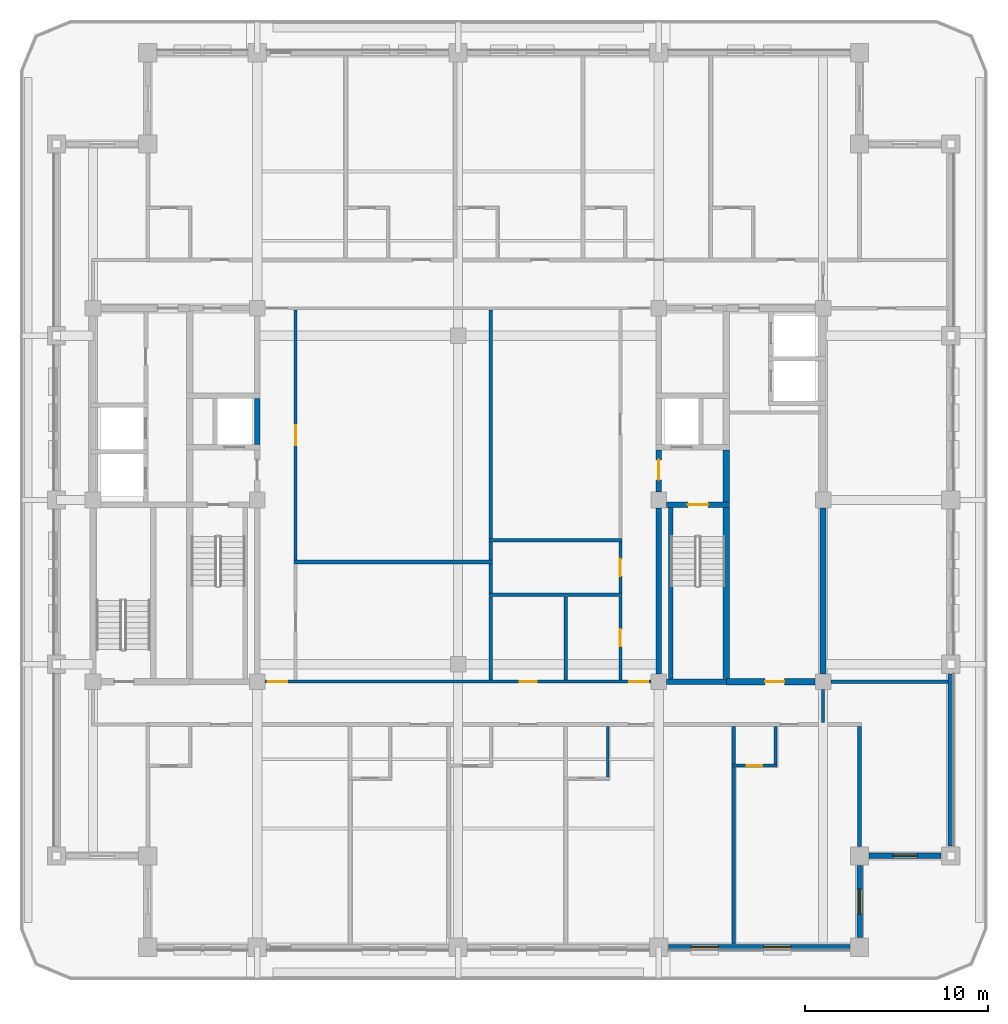
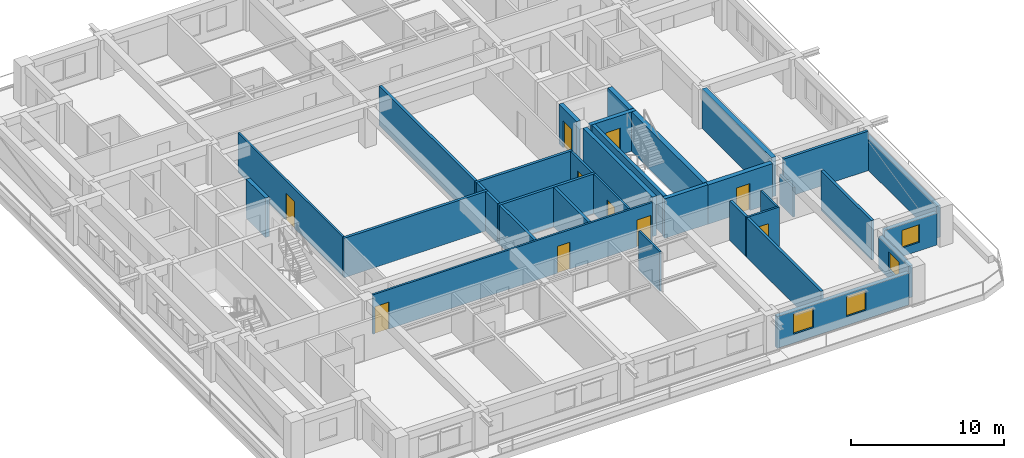
# One storey, part 4 of 13: 34 walls, 10 doors, 4 windows, 14 openings.
"""IFC4 building model written with IfcOpenShell, lengths in metres."""

from ifc_helpers import new_model, si_unit, direction, frame, frame_2d, origin, place, context, subcontext, project, spatial, rectangle, extrude, material, layer, layer_set, type_object, element, fill, save


model = new_model("IFC4")

# Units and contexts
model_context = context("Model", 3, precision=1e-05, world=origin(), true_north=direction((0.0, 1.0)))
body_context = subcontext(model_context, "Body", "Model", "MODEL_VIEW")
ifc_project = project(units=[si_unit("LENGTHUNIT", "METRE"), si_unit("AREAUNIT", "SQUARE_METRE"), si_unit("VOLUMEUNIT", "CUBIC_METRE"), si_unit("PLANEANGLEUNIT", "RADIAN"), si_unit("MASSUNIT", "GRAM", prefix="KILO")], contexts=[model_context])

# Site, building, storey
site_placement = place(None, origin())
site = spatial("IfcSite", under=ifc_project, at=site_placement, CompositionType="ELEMENT")
building_placement = place(site_placement, origin())
building = spatial("IfcBuilding", under=site, at=building_placement, Name="Zulmaris Gate Convention Tower", CompositionType="ELEMENT")
storey_placement = place(building_placement, frame((0.0, 0.0, 166.059814453125)))
storey = spatial("IfcBuildingStorey", under=building, at=storey_placement, Name="L42", CompositionType="ELEMENT", Elevation=166.059814453125)

# Walls
ifc_material_1 = material(Name="Concrete C50/60", Category="concrete")
ifc_layer_1 = layer(ifc_material_1, 0.25, Name="Concrete C50/60")
ifc_layer_set_1 = layer_set([ifc_layer_1], Name="Concrete C50/60")
wall_type_1 = type_object("IfcWallType", Name="CORE-250", PredefinedType="SOLIDWALL", material=ifc_layer_set_1)
wall_1_placement = place(storey_placement, frame((11.64990234375, -9.798095703125, 0.0), z_axis=(0.0, 0.0, 1.0), x_axis=(0.0, 1.0, 0.0)))
element("IfcWall", 1, at=wall_1_placement, inside=storey, type_object=wall_type_1, Name="WL-L42-063", PredefinedType="SOLIDWALL", context=body_context, shape_type="SweptSolid", body=[
    extrude(rectangle(XDim=9.39599609375, YDim=0.25, at=frame_2d((4.697998046875, 0.0))), origin(), (0.0, 0.0, 1.0), 3.150146484375),
])
ifc_layer_2 = layer(ifc_material_1, 0.300048828125, Name="Concrete C50/60")
ifc_layer_set_2 = layer_set([ifc_layer_2], Name="Concrete C50/60")
wall_type_2 = type_object("IfcWallType", Name="CORE-300", PredefinedType="SHEAR", material=ifc_layer_set_2)
wall_2_placement = place(storey_placement, frame((11.428955078125, -9.949951171875, 0.0), z_axis=(0.0, 0.0, 1.0), x_axis=(1.0, 0.0, 0.0)))
element("IfcWall", 2, at=wall_2_placement, inside=storey, type_object=wall_type_2, Name="WL-L42-003", PredefinedType="SHEAR", context=body_context, shape_type="SweptSolid", body=[
    extrude(rectangle(XDim=3.27099609375, YDim=0.300048828125, at=frame_2d((1.635498046875, 0.0))), origin(), (0.0, 0.0, 1.0), 3.150146484375),
])

# Wall, opening, door
wall_3_placement = place(storey_placement, frame((11.428955078125, -0.25, 0.0), z_axis=(0.0, 0.0, 1.0), x_axis=(1.0, 0.0, 0.0)))
wall_3 = element("IfcWall", 3, at=wall_3_placement, inside=storey, type_object=wall_type_2, Name="WL-L42-006", PredefinedType="SHEAR", context=body_context, shape_type="SweptSolid", body=[
    extrude(rectangle(XDim=3.446044921875, YDim=0.300048828125, at=frame_2d((1.72314453125, 0.0))), origin(), (0.0, 0.0, 1.0), 3.150146484375),
])
opening_1_placement = place(wall_3_placement, frame((1.1708984375, 0.0, 0.0)))
opening_1 = element("IfcOpeningElement", 4, at=opening_1_placement, cuts=wall_3, Name="Opening D-08", PredefinedType="OPENING", context=body_context, shape_type="SweptSolid", body=[
    extrude(rectangle(XDim=1.10009765625, YDim=2.14990234375, at=frame_2d((0.550048828125, 1.074951171875))), frame((0.0, 0.16015625, 0.0), z_axis=(0.0, -1.0, 0.0), x_axis=(1.0, 0.0, 0.0)), (0.0, 0.0, 1.0), 0.320068359375),
])
ifc_material_2 = material(Name="Fire-Rated Steel", Category="steel")
door_type_1 = type_object("IfcDoorType", Name="DR-1100-FD", OperationType="NOTDEFINED", PredefinedType="DOOR", material=ifc_material_2)
door_1_placement = place(opening_1_placement, origin())
door_1 = element("IfcDoor", 5, at=door_1_placement, inside=storey, type_object=door_type_1, Name="L42 Exit Stair ST-2 Door 04", OperationType="SINGLE_SWING_LEFT", OverallHeight=2.14990234375, OverallWidth=1.10009765625, PredefinedType="DOOR", context=body_context, shape_type="SweptSolid", body=[
    extrude(rectangle(XDim=1.10009765625, YDim=2.14990234375, at=frame_2d((0.550048828125, 1.074951171875))), frame((0.0, 0.02490234375, 0.0), z_axis=(0.0, -1.0, 0.0), x_axis=(1.0, 0.0, 0.0)), (0.0, 0.0, 1.0), 0.050048828125),
])
fill(opening_1, door_1)

# Walls
wall_4_placement = place(storey_placement, frame((-11.0, 3.052001953125, 0.0), z_axis=(0.0, 0.0, 1.0), x_axis=(0.0, 1.0, 0.0)))
element("IfcWall", 6, at=wall_4_placement, inside=storey, type_object=wall_type_2, Name="WL-L42-057", PredefinedType="SHEAR", context=body_context, shape_type="SweptSolid", body=[
    extrude(rectangle(XDim=2.49609375, YDim=0.300048828125, at=frame_2d((1.248046875, 0.0))), origin(), (0.0, 0.0, 1.0), 3.150146484375),
])
wall_5_placement = place(storey_placement, frame((11.0, -9.52099609375, 0.0), z_axis=(0.0, 0.0, 1.0), x_axis=(0.0, 1.0, 0.0)))
element("IfcWall", 7, at=wall_5_placement, inside=storey, type_object=wall_type_2, Name="WL-L42-059", PredefinedType="SHEAR", context=body_context, shape_type="SweptSolid", body=[
    extrude(rectangle(XDim=9.092041015625, YDim=0.300048828125, at=frame_2d((4.5458984375, 0.0))), origin(), (0.0, 0.0, 1.0), 3.150146484375),
])

# Wall, opening, door
wall_6_placement = place(storey_placement, frame((11.0, 0.428955078125, 0.0), z_axis=(0.0, 0.0, 1.0), x_axis=(0.0, 1.0, 0.0)))
wall_6 = element("IfcWall", 8, at=wall_6_placement, inside=storey, type_object=wall_type_2, Name="WL-L42-060", PredefinedType="SHEAR", context=body_context, shape_type="SweptSolid", body=[
    extrude(rectangle(XDim=2.319091796875, YDim=0.300048828125, at=frame_2d((1.15966796875, 0.0))), origin(), (0.0, 0.0, 1.0), 3.150146484375),
])
opening_2_placement = place(wall_6_placement, frame((0.6708984375, 0.0, 0.0)))
opening_2 = element("IfcOpeningElement", 9, at=opening_2_placement, cuts=wall_6, Name="Opening D-08", PredefinedType="OPENING", context=body_context, shape_type="SweptSolid", body=[
    extrude(rectangle(XDim=1.10009765625, YDim=2.14990234375, at=frame_2d((0.550048828125, 1.074951171875))), frame((0.0, 0.16015625, 0.0), z_axis=(0.0, -1.0, 0.0), x_axis=(1.0, 0.0, 0.0)), (0.0, 0.0, 1.0), 0.320068359375),
])
door_2_placement = place(opening_2_placement, origin())
door_2 = element("IfcDoor", 10, at=door_2_placement, inside=storey, type_object=door_type_1, Name="L42 East Firefighting Lobby Door 05", OperationType="SINGLE_SWING_RIGHT", OverallHeight=2.14990234375, OverallWidth=1.10009765625, PredefinedType="DOOR", context=body_context, shape_type="SweptSolid", body=[
    extrude(rectangle(XDim=1.10009765625, YDim=2.14990234375, at=frame_2d((0.550048828125, 1.074951171875))), frame((0.0, 0.02490234375, 0.0), z_axis=(0.0, -1.0, 0.0), x_axis=(1.0, 0.0, 0.0)), (0.0, 0.0, 1.0), 0.050048828125),
])
fill(opening_2, door_2)

ifc_material_3 = material(Name="Concrete C55/67", Category="concrete")
ifc_layer_3 = layer(ifc_material_3, 0.35009765625, Name="Concrete C55/67")
ifc_layer_set_3 = layer_set([ifc_layer_3], Name="Concrete C55/67")
wall_type_3 = type_object("IfcWallType", Name="CORE-350", PredefinedType="SHEAR", material=ifc_layer_set_3)
wall_7_placement = place(storey_placement, frame((14.699951171875, -9.949951171875, 0.0), z_axis=(0.0, 0.0, 1.0), x_axis=(1.0, 0.0, 0.0)))
wall_7 = element("IfcWall", 11, at=wall_7_placement, inside=storey, type_object=wall_type_3, Name="WL-L42-004", PredefinedType="SHEAR", context=body_context, shape_type="SweptSolid", body=[
    extrude(rectangle(XDim=4.87109375, YDim=0.35009765625, at=frame_2d((2.435546875, 0.0))), origin(), (0.0, 0.0, 1.0), 3.150146484375),
])
opening_3_placement = place(wall_7_placement, frame((2.125, 0.0, 0.0)))
opening_3 = element("IfcOpeningElement", 12, at=opening_3_placement, cuts=wall_7, Name="Opening D-09", PredefinedType="OPENING", context=body_context, shape_type="SweptSolid", body=[
    extrude(rectangle(XDim=1.050048828125, YDim=2.14990234375, at=frame_2d((0.52490234375, 1.074951171875))), frame((0.0, 0.18505859375, 0.0), z_axis=(0.0, -1.0, 0.0), x_axis=(1.0, 0.0, 0.0)), (0.0, 0.0, 1.0), 0.3701171875),
])
door_type_2 = type_object("IfcDoorType", Name="DR-1050-FD", OperationType="NOTDEFINED", PredefinedType="DOOR", material=ifc_material_2)
door_3_placement = place(opening_3_placement, origin())
door_3 = element("IfcDoor", 13, at=door_3_placement, inside=storey, type_object=door_type_2, Name="L42 Housekeeping Hall Door 17", OperationType="SINGLE_SWING_LEFT", OverallHeight=2.14990234375, OverallWidth=1.050048828125, PredefinedType="DOOR", context=body_context, shape_type="SweptSolid", body=[
    extrude(rectangle(XDim=1.050048828125, YDim=2.14990234375, at=frame_2d((0.52490234375, 1.074951171875))), frame((0.0, 0.02490234375, 0.0), z_axis=(0.0, -1.0, 0.0), x_axis=(1.0, 0.0, 0.0)), (0.0, 0.0, 1.0), 0.050048828125),
])
fill(opening_3, door_3)

# Walls
wall_8_placement = place(storey_placement, frame((14.699951171875, -9.77294921875, 0.0), z_axis=(0.0, 0.0, 1.0), x_axis=(0.0, 1.0, 0.0)))
element("IfcWall", 14, at=wall_8_placement, inside=storey, type_object=wall_type_3, Name="WL-L42-065", PredefinedType="SHEAR", context=body_context, shape_type="SweptSolid", body=[
    extrude(rectangle(XDim=9.370849609375, YDim=0.35009765625, at=frame_2d((4.685546875, 0.0))), origin(), (0.0, 0.0, 1.0), 3.150146484375),
])
wall_9_placement = place(storey_placement, frame((14.699951171875, -0.097900390625, 0.0), z_axis=(0.0, 0.0, 1.0), x_axis=(0.0, 1.0, 0.0)))
element("IfcWall", 15, at=wall_9_placement, inside=storey, type_object=wall_type_3, Name="WL-L42-066", PredefinedType="SHEAR", context=body_context, shape_type="SweptSolid", body=[
    extrude(rectangle(XDim=2.845947265625, YDim=0.35009765625, at=frame_2d((1.4228515625, 0.0))), origin(), (0.0, 0.0, 1.0), 3.150146484375),
])
wall_10_placement = place(storey_placement, frame((20.0, -9.52099609375, 0.0), z_axis=(0.0, 0.0, 1.0), x_axis=(0.0, 1.0, 0.0)))
element("IfcWall", 16, at=wall_10_placement, inside=storey, type_object=wall_type_3, Name="WL-L42-071", PredefinedType="SHEAR", context=body_context, shape_type="SweptSolid", body=[
    extrude(rectangle(XDim=9.092041015625, YDim=0.35009765625, at=frame_2d((4.5458984375, 0.0))), origin(), (0.0, 0.0, 1.0), 3.150146484375),
])

# Wall, opening, door
ifc_material_4 = material(Name="Gypsum Metal Stud Partition")
ifc_layer_4 = layer(ifc_material_4, 0.14990234375, Name="Gypsum Metal Stud Partition")
ifc_layer_set_4 = layer_set([ifc_layer_4], Name="Gypsum Metal Stud Partition")
wall_type_4 = type_object("IfcWallType", Name="PART-150", PredefinedType="PARTITIONING", material=ifc_layer_set_4)
wall_11_placement = place(storey_placement, frame((15.0, -14.550048828125, 0.0), z_axis=(0.0, 0.0, 1.0), x_axis=(1.0, 0.0, 0.0)))
wall_11 = element("IfcWall", 17, at=wall_11_placement, inside=storey, type_object=wall_type_4, Name="WL-L42-023", PredefinedType="PARTITIONING", context=body_context, shape_type="SweptSolid", body=[
    extrude(rectangle(XDim=2.47509765625, YDim=0.14990234375, at=frame_2d((1.237548828125, 0.0))), origin(), (0.0, 0.0, 1.0), 3.150146484375),
])
opening_4_placement = place(wall_11_placement, frame((0.824951171875, 0.0, 0.0)))
opening_4 = element("IfcOpeningElement", 18, at=opening_4_placement, cuts=wall_11, Name="Opening D-17", PredefinedType="OPENING", context=body_context, shape_type="SweptSolid", body=[
    extrude(rectangle(XDim=0.85009765625, YDim=2.10009765625, at=frame_2d((0.425048828125, 1.050048828125))), frame((0.0, 0.0849609375, 0.0), z_axis=(0.0, -1.0, 0.0), x_axis=(1.0, 0.0, 0.0)), (0.0, 0.0, 1.0), 0.169921875),
])
ifc_material_5 = material(Name="Moisture-Resistant Hardwood Timber", Category="wood")
door_type_3 = type_object("IfcDoorType", Name="DR-850", OperationType="NOTDEFINED", PredefinedType="DOOR", material=ifc_material_5)
door_4_placement = place(opening_4_placement, origin())
door_4 = element("IfcDoor", 19, at=door_4_placement, inside=storey, type_object=door_type_3, Name="L42 En-Suite Door 41", OperationType="SINGLE_SWING_LEFT", OverallHeight=2.10009765625, OverallWidth=0.85009765625, PredefinedType="DOOR", context=body_context, shape_type="SweptSolid", body=[
    extrude(rectangle(XDim=0.85009765625, YDim=2.10009765625, at=frame_2d((0.425048828125, 1.050048828125))), frame((0.0, 0.02490234375, 0.0), z_axis=(0.0, -1.0, 0.0), x_axis=(1.0, 0.0, 0.0)), (0.0, 0.0, 1.0), 0.050048828125),
])
fill(opening_4, door_4)

# Wall, openings, doors
wall_12_placement = place(storey_placement, frame((-10.569091796875, -9.949951171875, 0.0), z_axis=(0.0, 0.0, 1.0), x_axis=(1.0, 0.0, 0.0)))
wall_12 = element("IfcWall", 20, at=wall_12_placement, inside=storey, type_object=wall_type_4, Name="WL-L42-026", PredefinedType="PARTITIONING", context=body_context, shape_type="SweptSolid", body=[
    extrude(rectangle(XDim=21.13818359375, YDim=0.14990234375, at=frame_2d((10.569091796875, 0.0))), origin(), (0.0, 0.0, 1.0), 3.150146484375),
])
opening_5_placement = place(wall_12_placement, frame((0.14990234375, 0.0, 0.0)))
opening_5 = element("IfcOpeningElement", 21, at=opening_5_placement, cuts=wall_12, Name="Opening D-09", PredefinedType="OPENING", context=body_context, shape_type="SweptSolid", body=[
    extrude(rectangle(XDim=1.050048828125, YDim=2.14990234375, at=frame_2d((0.52490234375, 1.074951171875))), frame((0.0, 0.0849609375, 0.0), z_axis=(0.0, -1.0, 0.0), x_axis=(1.0, 0.0, 0.0)), (0.0, 0.0, 1.0), 0.169921875),
])
opening_6_placement = place(wall_12_placement, frame((19.93798828125, 0.0, 0.0)))
opening_6 = element("IfcOpeningElement", 22, at=opening_6_placement, cuts=wall_12, Name="Opening D-09", PredefinedType="OPENING", context=body_context, shape_type="SweptSolid", body=[
    extrude(rectangle(XDim=1.050048828125, YDim=2.14990234375, at=frame_2d((0.52490234375, 1.074951171875))), frame((0.0, 0.0849609375, 0.0), z_axis=(0.0, -1.0, 0.0), x_axis=(1.0, 0.0, 0.0)), (0.0, 0.0, 1.0), 0.169921875),
])
opening_7_placement = place(wall_12_placement, frame((13.944091796875, 0.0, 0.0)))
opening_7 = element("IfcOpeningElement", 23, at=opening_7_placement, cuts=wall_12, Name="Opening D-11", PredefinedType="OPENING", context=body_context, shape_type="SweptSolid", body=[
    extrude(rectangle(XDim=0.949951171875, YDim=2.14990234375, at=frame_2d((0.47509765625, 1.074951171875))), frame((0.0, 0.0849609375, 0.0), z_axis=(0.0, -1.0, 0.0), x_axis=(1.0, 0.0, 0.0)), (0.0, 0.0, 1.0), 0.169921875),
])
door_5_placement = place(opening_5_placement, origin())
door_5 = element("IfcDoor", 24, at=door_5_placement, inside=storey, type_object=door_type_2, Name="L42 SW Hotel Loop Door 19", OperationType="SINGLE_SWING_LEFT", OverallHeight=2.14990234375, OverallWidth=1.050048828125, PredefinedType="DOOR", context=body_context, shape_type="SweptSolid", body=[
    extrude(rectangle(XDim=1.050048828125, YDim=2.14990234375, at=frame_2d((0.52490234375, 1.074951171875))), frame((0.0, 0.02490234375, 0.0), z_axis=(0.0, -1.0, 0.0), x_axis=(1.0, 0.0, 0.0)), (0.0, 0.0, 1.0), 0.050048828125),
])
fill(opening_5, door_5)
door_6_placement = place(opening_6_placement, origin())
door_6 = element("IfcDoor", 25, at=door_6_placement, inside=storey, type_object=door_type_2, Name="L42 SE Hotel Loop Door 21", OperationType="SINGLE_SWING_LEFT", OverallHeight=2.14990234375, OverallWidth=1.050048828125, PredefinedType="DOOR", context=body_context, shape_type="SweptSolid", body=[
    extrude(rectangle(XDim=1.050048828125, YDim=2.14990234375, at=frame_2d((0.52490234375, 1.074951171875))), frame((0.0, 0.02490234375, 0.0), z_axis=(0.0, -1.0, 0.0), x_axis=(1.0, 0.0, 0.0)), (0.0, 0.0, 1.0), 0.050048828125),
])
fill(opening_6, door_6)
ifc_material_6 = material(Name="Fire-Rated Timber", Category="wood")
door_type_4 = type_object("IfcDoorType", Name="DR-950-FD", OperationType="NOTDEFINED", PredefinedType="DOOR", material=ifc_material_6)
door_7_placement = place(opening_7_placement, origin())
door_7 = element("IfcDoor", 26, at=door_7_placement, inside=storey, type_object=door_type_4, Name="L42 Staging Store Door 47", OperationType="SINGLE_SWING_LEFT", OverallHeight=2.14990234375, OverallWidth=0.949951171875, PredefinedType="DOOR", context=body_context, shape_type="SweptSolid", body=[
    extrude(rectangle(XDim=0.949951171875, YDim=2.14990234375, at=frame_2d((0.47509765625, 1.074951171875))), frame((0.0, 0.02490234375, 0.0), z_axis=(0.0, -1.0, 0.0), x_axis=(1.0, 0.0, 0.0)), (0.0, 0.0, 1.0), 0.050048828125),
])
fill(opening_7, door_7)

# Wall, opening, door
wall_13_placement = place(storey_placement, frame((-8.89990234375, -3.297119140625, 0.0), z_axis=(0.0, 0.0, 1.0), x_axis=(0.0, 1.0, 0.0)))
wall_13 = element("IfcWall", 27, at=wall_13_placement, inside=storey, type_object=wall_type_4, Name="WL-L42-084", PredefinedType="PARTITIONING", context=body_context, shape_type="SweptSolid", body=[
    extrude(rectangle(XDim=13.71923828125, YDim=0.14990234375, at=frame_2d((6.859619140625, 0.0))), origin(), (0.0, 0.0, 1.0), 3.150146484375),
])
opening_8_placement = place(wall_13_placement, frame((6.297119140625, 0.0, 0.0)))
opening_8 = element("IfcOpeningElement", 28, at=opening_8_placement, cuts=wall_13, Name="Opening D-08", PredefinedType="OPENING", context=body_context, shape_type="SweptSolid", body=[
    extrude(rectangle(XDim=1.10009765625, YDim=2.14990234375, at=frame_2d((0.550048828125, 1.074951171875))), frame((0.0, 0.0849609375, 0.0), z_axis=(0.0, -1.0, 0.0), x_axis=(1.0, 0.0, 0.0)), (0.0, 0.0, 1.0), 0.169921875),
])
door_8_placement = place(opening_8_placement, origin())
door_8 = element("IfcDoor", 29, at=door_8_placement, inside=storey, type_object=door_type_1, Name="L42 Club Lounge Door 42", OperationType="SINGLE_SWING_RIGHT", OverallHeight=2.14990234375, OverallWidth=1.10009765625, PredefinedType="DOOR", context=body_context, shape_type="SweptSolid", body=[
    extrude(rectangle(XDim=1.10009765625, YDim=2.14990234375, at=frame_2d((0.550048828125, 1.074951171875))), frame((0.0, 0.02490234375, 0.0), z_axis=(0.0, -1.0, 0.0), x_axis=(1.0, 0.0, 0.0)), (0.0, 0.0, 1.0), 0.050048828125),
])
fill(opening_8, door_8)

# Wall
wall_14_placement = place(storey_placement, frame((8.199951171875, -15.172119140625, 0.0), z_axis=(0.0, 0.0, 1.0), x_axis=(0.0, 1.0, 0.0)))
element("IfcWall", 30, at=wall_14_placement, inside=storey, type_object=wall_type_4, Name="WL-L42-106", PredefinedType="PARTITIONING", context=body_context, shape_type="SweptSolid", body=[
    extrude(rectangle(XDim=2.76904296875, YDim=0.14990234375, at=frame_2d((1.384521484375, 0.0))), origin(), (0.0, 0.0, 1.0), 3.150146484375),
])

# Wall, opening, door
wall_15_placement = place(storey_placement, frame((8.89990234375, -9.8720703125, 0.0), z_axis=(0.0, 0.0, 1.0), x_axis=(0.0, 1.0, 0.0)))
wall_15 = element("IfcWall", 31, at=wall_15_placement, inside=storey, type_object=wall_type_4, Name="WL-L42-107", PredefinedType="PARTITIONING", context=body_context, shape_type="SweptSolid", body=[
    extrude(rectangle(XDim=4.569091796875, YDim=0.14990234375, at=frame_2d((2.28466796875, 0.0))), origin(), (0.0, 0.0, 1.0), 3.150146484375),
])
opening_9_placement = place(wall_15_placement, frame((1.846923828125, 0.0, 0.0)))
opening_9 = element("IfcOpeningElement", 32, at=opening_9_placement, cuts=wall_15, Name="Opening D-11", PredefinedType="OPENING", context=body_context, shape_type="SweptSolid", body=[
    extrude(rectangle(XDim=0.949951171875, YDim=2.14990234375, at=frame_2d((0.47509765625, 1.074951171875))), frame((0.0, 0.0849609375, 0.0), z_axis=(0.0, -1.0, 0.0), x_axis=(1.0, 0.0, 0.0)), (0.0, 0.0, 1.0), 0.169921875),
])
door_9_placement = place(opening_9_placement, origin())
door_9 = element("IfcDoor", 33, at=door_9_placement, inside=storey, type_object=door_type_4, Name="L42 Accessible WC Door 46", OperationType="SINGLE_SWING_RIGHT", OverallHeight=2.14990234375, OverallWidth=0.949951171875, PredefinedType="DOOR", context=body_context, shape_type="SweptSolid", body=[
    extrude(rectangle(XDim=0.949951171875, YDim=2.14990234375, at=frame_2d((0.47509765625, 1.074951171875))), frame((0.0, 0.02490234375, 0.0), z_axis=(0.0, -1.0, 0.0), x_axis=(1.0, 0.0, 0.0)), (0.0, 0.0, 1.0), 0.050048828125),
])
fill(opening_9, door_9)

wall_16_placement = place(storey_placement, frame((8.89990234375, -5.096923828125, 0.0), z_axis=(0.0, 0.0, 1.0), x_axis=(0.0, 1.0, 0.0)))
wall_16 = element("IfcWall", 34, at=wall_16_placement, inside=storey, type_object=wall_type_4, Name="WL-L42-108", PredefinedType="PARTITIONING", context=body_context, shape_type="SweptSolid", body=[
    extrude(rectangle(XDim=2.7939453125, YDim=0.14990234375, at=frame_2d((1.39697265625, 0.0))), origin(), (0.0, 0.0, 1.0), 3.150146484375),
])
opening_10_placement = place(wall_16_placement, frame((0.922119140625, 0.0, 0.0)))
opening_10 = element("IfcOpeningElement", 35, at=opening_10_placement, cuts=wall_16, Name="Opening D-11", PredefinedType="OPENING", context=body_context, shape_type="SweptSolid", body=[
    extrude(rectangle(XDim=0.949951171875, YDim=2.14990234375, at=frame_2d((0.47509765625, 1.074951171875))), frame((0.0, 0.0849609375, 0.0), z_axis=(0.0, -1.0, 0.0), x_axis=(1.0, 0.0, 0.0)), (0.0, 0.0, 1.0), 0.169921875),
])
door_10_placement = place(opening_10_placement, origin())
door_10 = element("IfcDoor", 36, at=door_10_placement, inside=storey, type_object=door_type_4, Name="L42 Public WC Door 45", OperationType="SINGLE_SWING_LEFT", OverallHeight=2.14990234375, OverallWidth=0.949951171875, PredefinedType="DOOR", context=body_context, shape_type="SweptSolid", body=[
    extrude(rectangle(XDim=0.949951171875, YDim=2.14990234375, at=frame_2d((0.47509765625, 1.074951171875))), frame((0.0, 0.02490234375, 0.0), z_axis=(0.0, -1.0, 0.0), x_axis=(1.0, 0.0, 0.0)), (0.0, 0.0, 1.0), 0.050048828125),
])
fill(opening_10, door_10)

# Walls
wall_17_placement = place(storey_placement, frame((17.39990234375, -14.471923828125, 0.0), z_axis=(0.0, 0.0, 1.0), x_axis=(0.0, 1.0, 0.0)))
element("IfcWall", 37, at=wall_17_placement, inside=storey, type_object=wall_type_4, Name="WL-L42-116", PredefinedType="PARTITIONING", context=body_context, shape_type="SweptSolid", body=[
    extrude(rectangle(XDim=2.06884765625, YDim=0.14990234375, at=frame_2d((1.034423828125, 0.0))), origin(), (0.0, 0.0, 1.0), 3.150146484375),
])
wall_18_placement = place(storey_placement, frame((20.0, -12.197021484375, 0.0), z_axis=(0.0, 0.0, 1.0), x_axis=(0.0, 1.0, 0.0)))
element("IfcWall", 38, at=wall_18_placement, inside=storey, type_object=wall_type_4, Name="WL-L42-117", PredefinedType="PARTITIONING", context=body_context, shape_type="SweptSolid", body=[
    extrude(rectangle(XDim=1.81591796875, YDim=0.14990234375, at=frame_2d((0.907958984375, 0.0))), origin(), (0.0, 0.0, 1.0), 2.34228515625),
])
ifc_material_7 = material(Name="Autoclaved Aerated Concrete Block and Plasterboard", Category="concrete")
ifc_layer_5 = layer(ifc_material_7, 0.199951171875, Name="Autoclaved Aerated Concrete Block and Plasterboard")
ifc_layer_set_5 = layer_set([ifc_layer_5], Name="Autoclaved Aerated Concrete Block and Plasterboard")
wall_type_5 = type_object("IfcWallType", Name="PART-200", PredefinedType="PARTITIONING", material=ifc_layer_set_5)
wall_19_placement = place(storey_placement, frame((20.430908203125, -9.949951171875, 0.0), z_axis=(0.0, 0.0, 1.0), x_axis=(1.0, 0.0, 0.0)))
element("IfcWall", 39, at=wall_19_placement, inside=storey, type_object=wall_type_5, Name="WL-L42-027", PredefinedType="PARTITIONING", context=body_context, shape_type="SweptSolid", body=[
    extrude(rectangle(XDim=6.404052734375, YDim=0.199951171875, at=frame_2d((3.2021484375, 0.0))), origin(), (0.0, 0.0, 1.0), 3.150146484375),
])
wall_20_placement = place(storey_placement, frame((1.699951171875, -5.199951171875, 0.0), z_axis=(0.0, 0.0, 1.0), x_axis=(1.0, 0.0, 0.0)))
element("IfcWall", 40, at=wall_20_placement, inside=storey, type_object=wall_type_5, Name="WL-L42-028", PredefinedType="PARTITIONING", context=body_context, shape_type="SweptSolid", body=[
    extrude(rectangle(XDim=7.275146484375, YDim=0.199951171875, at=frame_2d((3.6376953125, 0.0))), origin(), (0.0, 0.0, 1.0), 3.150146484375),
])
wall_21_placement = place(storey_placement, frame((-8.97509765625, -3.39990234375, 0.0), z_axis=(0.0, 0.0, 1.0), x_axis=(1.0, 0.0, 0.0)))
element("IfcWall", 41, at=wall_21_placement, inside=storey, type_object=wall_type_5, Name="WL-L42-029", PredefinedType="PARTITIONING", context=body_context, shape_type="SweptSolid", body=[
    extrude(rectangle(XDim=10.875, YDim=0.199951171875, at=frame_2d((5.4375, 0.0))), origin(), (0.0, 0.0, 1.0), 3.150146484375),
])
wall_22_placement = place(storey_placement, frame((1.699951171875, -2.199951171875, 0.0), z_axis=(0.0, 0.0, 1.0), x_axis=(1.0, 0.0, 0.0)))
element("IfcWall", 42, at=wall_22_placement, inside=storey, type_object=wall_type_5, Name="WL-L42-030", PredefinedType="PARTITIONING", context=body_context, shape_type="SweptSolid", body=[
    extrude(rectangle(XDim=7.275146484375, YDim=0.199951171875, at=frame_2d((3.6376953125, 0.0))), origin(), (0.0, 0.0, 1.0), 3.150146484375),
])
wall_23_placement = place(storey_placement, frame((1.800048828125, -9.8720703125, 0.0), z_axis=(0.0, 0.0, 1.0), x_axis=(0.0, 1.0, 0.0)))
element("IfcWall", 43, at=wall_23_placement, inside=storey, type_object=wall_type_5, Name="WL-L42-096", PredefinedType="PARTITIONING", context=body_context, shape_type="SweptSolid", body=[
    extrude(rectangle(XDim=4.569091796875, YDim=0.199951171875, at=frame_2d((2.28466796875, 0.0))), origin(), (0.0, 0.0, 1.0), 3.150146484375),
])
wall_24_placement = place(storey_placement, frame((1.800048828125, -5.096923828125, 0.0), z_axis=(0.0, 0.0, 1.0), x_axis=(0.0, 1.0, 0.0)))
element("IfcWall", 44, at=wall_24_placement, inside=storey, type_object=wall_type_5, Name="WL-L42-097", PredefinedType="PARTITIONING", context=body_context, shape_type="SweptSolid", body=[
    extrude(rectangle(XDim=1.593994140625, YDim=0.199951171875, at=frame_2d((0.796875, 0.0))), origin(), (0.0, 0.0, 1.0), 3.150146484375),
])
wall_25_placement = place(storey_placement, frame((1.800048828125, -3.297119140625, 0.0), z_axis=(0.0, 0.0, 1.0), x_axis=(0.0, 1.0, 0.0)))
element("IfcWall", 45, at=wall_25_placement, inside=storey, type_object=wall_type_5, Name="WL-L42-098", PredefinedType="PARTITIONING", context=body_context, shape_type="SweptSolid", body=[
    extrude(rectangle(XDim=0.994140625, YDim=0.199951171875, at=frame_2d((0.4970703125, 0.0))), origin(), (0.0, 0.0, 1.0), 3.150146484375),
])
wall_26_placement = place(storey_placement, frame((1.800048828125, -2.096923828125, 0.0), z_axis=(0.0, 0.0, 1.0), x_axis=(0.0, 1.0, 0.0)))
element("IfcWall", 46, at=wall_26_placement, inside=storey, type_object=wall_type_5, Name="WL-L42-099", PredefinedType="PARTITIONING", context=body_context, shape_type="SweptSolid", body=[
    extrude(rectangle(XDim=12.51904296875, YDim=0.199951171875, at=frame_2d((6.259521484375, 0.0))), origin(), (0.0, 0.0, 1.0), 3.150146484375),
])
wall_27_placement = place(storey_placement, frame((5.89990234375, -9.8720703125, 0.0), z_axis=(0.0, 0.0, 1.0), x_axis=(0.0, 1.0, 0.0)))
element("IfcWall", 47, at=wall_27_placement, inside=storey, type_object=wall_type_5, Name="WL-L42-103", PredefinedType="PARTITIONING", context=body_context, shape_type="SweptSolid", body=[
    extrude(rectangle(XDim=4.569091796875, YDim=0.199951171875, at=frame_2d((2.28466796875, 0.0))), origin(), (0.0, 0.0, 1.0), 3.150146484375),
])
wall_28_placement = place(storey_placement, frame((15.10009765625, -24.3349609375, 0.0), z_axis=(0.0, 0.0, 1.0), x_axis=(0.0, 1.0, 0.0)))
element("IfcWall", 48, at=wall_28_placement, inside=storey, type_object=wall_type_5, Name="WL-L42-113", PredefinedType="PARTITIONING", context=body_context, shape_type="SweptSolid", body=[
    extrude(rectangle(XDim=9.70703125, YDim=0.199951171875, at=frame_2d((4.853515625, 0.0))), origin(), (0.0, 0.0, 1.0), 3.150146484375),
])
wall_29_placement = place(storey_placement, frame((15.10009765625, -14.471923828125, 0.0), z_axis=(0.0, 0.0, 1.0), x_axis=(0.0, 1.0, 0.0)))
element("IfcWall", 49, at=wall_29_placement, inside=storey, type_object=wall_type_5, Name="WL-L42-114", PredefinedType="PARTITIONING", context=body_context, shape_type="SweptSolid", body=[
    extrude(rectangle(XDim=2.06884765625, YDim=0.199951171875, at=frame_2d((1.034423828125, 0.0))), origin(), (0.0, 0.0, 1.0), 3.150146484375),
])
wall_30_placement = place(storey_placement, frame((22.0, -18.993896484375, 0.0), z_axis=(0.0, 0.0, 1.0), x_axis=(0.0, 1.0, 0.0)))
element("IfcWall", 50, at=wall_30_placement, inside=storey, type_object=wall_type_5, Name="WL-L42-119", PredefinedType="PARTITIONING", context=body_context, shape_type="SweptSolid", body=[
    extrude(rectangle(XDim=6.5908203125, YDim=0.199951171875, at=frame_2d((3.29541015625, 0.0))), origin(), (0.0, 0.0, 1.0), 3.150146484375),
])

# Wall, opening, window
ifc_material_8 = material(Name="Precast concrete C40/50", Category="concrete")
ifc_layer_6 = layer(ifc_material_8, 0.300048828125, Name="Precast concrete C40/50")
ifc_layer_set_6 = layer_set([ifc_layer_6], Name="Precast concrete C40/50")
wall_type_6 = type_object("IfcWallType", Name="PRECAST-PIER-300", PredefinedType="STANDARD", material=ifc_layer_set_6)
wall_31_placement = place(storey_placement, frame((22.0, -23.969970703125, 0.0), z_axis=(0.0, 0.0, 1.0), x_axis=(0.0, 1.0, 0.0)))
wall_31 = element("IfcWall", 51, at=wall_31_placement, inside=storey, type_object=wall_type_6, Name="EW-L42-NOTCH-SE1_0", PredefinedType="STANDARD", context=body_context, shape_type="SweptSolid", body=[
    extrude(rectangle(XDim=3.93994140625, YDim=0.300048828125, at=frame_2d((1.969970703125, 0.0))), origin(), (0.0, 0.0, 1.0), 2.542236328125),
])
opening_11_placement = place(wall_31_placement, frame((1.294921875, 0.0, 0.679931640625)))
opening_11 = element("IfcOpeningElement", 52, at=opening_11_placement, cuts=wall_31, Name="Opening W-10", PredefinedType="OPENING", context=body_context, shape_type="SweptSolid", body=[
    extrude(rectangle(XDim=1.35009765625, YDim=1.419921875, at=frame_2d((0.675048828125, 0.7099609375))), frame((0.0, 0.16015625, 0.0), z_axis=(0.0, -1.0, 0.0), x_axis=(1.0, 0.0, 0.0)), (0.0, 0.0, 1.0), 0.320068359375),
])
ifc_material_9 = material(Name="Low-E Laminated Double Glazing in Aluminium Frame", Category="aluminium")
window_type_1 = type_object("IfcWindowType", Name="WIN-1350x2000", PartitioningType="SINGLE_PANEL", PredefinedType="WINDOW", material=ifc_material_9)
window_1_placement = place(opening_11_placement, origin())
window_1 = element("IfcWindow", 53, at=window_1_placement, inside=storey, type_object=window_type_1, Name="WN-EW-L42-NOTCH-SE1_0", OverallHeight=1.419921875, OverallWidth=1.35009765625, PartitioningType="SINGLE_PANEL", PredefinedType="WINDOW", context=body_context, shape_type="SweptSolid", body=[
    extrude(rectangle(XDim=1.35009765625, YDim=1.419921875, at=frame_2d((0.675048828125, 0.7099609375))), frame((0.0, 0.030029296875, 0.0), z_axis=(0.0, -1.0, 0.0), x_axis=(1.0, 0.0, 0.0)), (0.0, 0.0, 1.0), 0.06005859375),
])
fill(opening_11, window_1)

wall_32_placement = place(storey_placement, frame((22.530029296875, -19.5, 0.0), z_axis=(0.0, 0.0, 1.0), x_axis=(1.0, 0.0, 0.0)))
wall_32 = element("IfcWall", 54, at=wall_32_placement, inside=storey, type_object=wall_type_6, Name="EW-L42-NOTCH-SE2_0", PredefinedType="STANDARD", context=body_context, shape_type="SweptSolid", body=[
    extrude(rectangle(XDim=3.93994140625, YDim=0.300048828125, at=frame_2d((1.969970703125, 0.0))), origin(), (0.0, 0.0, 1.0), 2.542236328125),
])
opening_12_placement = place(wall_32_placement, frame((1.294921875, 0.0, 0.679931640625)))
opening_12 = element("IfcOpeningElement", 55, at=opening_12_placement, cuts=wall_32, Name="Opening W-10", PredefinedType="OPENING", context=body_context, shape_type="SweptSolid", body=[
    extrude(rectangle(XDim=1.35009765625, YDim=1.419921875, at=frame_2d((0.675048828125, 0.7099609375))), frame((0.0, 0.16015625, 0.0), z_axis=(0.0, -1.0, 0.0), x_axis=(1.0, 0.0, 0.0)), (0.0, 0.0, 1.0), 0.320068359375),
])
window_2_placement = place(opening_12_placement, origin())
window_2 = element("IfcWindow", 56, at=window_2_placement, inside=storey, type_object=window_type_1, Name="WN-EW-L42-NOTCH-SE2_0", OverallHeight=1.419921875, OverallWidth=1.35009765625, PartitioningType="SINGLE_PANEL", PredefinedType="WINDOW", context=body_context, shape_type="SweptSolid", body=[
    extrude(rectangle(XDim=1.35009765625, YDim=1.419921875, at=frame_2d((0.675048828125, 0.7099609375))), frame((0.0, 0.030029296875, 0.0), z_axis=(0.0, -1.0, 0.0), x_axis=(1.0, 0.0, 0.0)), (0.0, 0.0, 1.0), 0.06005859375),
])
fill(opening_12, window_2)

# Wall, openings, windows
wall_33_placement = place(storey_placement, frame((11.530029296875, -24.5, 0.0), z_axis=(0.0, 0.0, 1.0), x_axis=(1.0, 0.0, 0.0)))
wall_33 = element("IfcWall", 57, at=wall_33_placement, inside=storey, type_object=wall_type_6, Name="EW-L42-S-3_0", PredefinedType="STANDARD", context=body_context, shape_type="SweptSolid", body=[
    extrude(rectangle(XDim=9.93994140625, YDim=0.300048828125, at=frame_2d((4.969970703125, 0.0))), origin(), (0.0, 0.0, 1.0), 2.542236328125),
])
opening_13_placement = place(wall_33_placement, frame((1.238037109375, 0.0, 0.719970703125)))
opening_13 = element("IfcOpeningElement", 58, at=opening_13_placement, cuts=wall_33, Name="Opening W-03", PredefinedType="OPENING", context=body_context, shape_type="SweptSolid", body=[
    extrude(rectangle(XDim=1.5, YDim=1.60009765625, at=frame_2d((0.75, 0.800048828125))), frame((0.0, 0.16015625, 0.0), z_axis=(0.0, -1.0, 0.0), x_axis=(1.0, 0.0, 0.0)), (0.0, 0.0, 1.0), 0.320068359375),
])
opening_14_placement = place(wall_33_placement, frame((5.214111328125, 0.0, 0.719970703125)))
opening_14 = element("IfcOpeningElement", 59, at=opening_14_placement, cuts=wall_33, Name="Opening W-03", PredefinedType="OPENING", context=body_context, shape_type="SweptSolid", body=[
    extrude(rectangle(XDim=1.5, YDim=1.60009765625, at=frame_2d((0.75, 0.800048828125))), frame((0.0, 0.16015625, 0.0), z_axis=(0.0, -1.0, 0.0), x_axis=(1.0, 0.0, 0.0)), (0.0, 0.0, 1.0), 0.320068359375),
])
window_type_2 = type_object("IfcWindowType", Name="WIN-1500x2100", PartitioningType="SINGLE_PANEL", PredefinedType="WINDOW", material=ifc_material_9)
window_3_placement = place(opening_13_placement, origin())
window_3 = element("IfcWindow", 60, at=window_3_placement, inside=storey, type_object=window_type_2, Name="WN-EW-L42-S-3_0-1", OverallHeight=1.60009765625, OverallWidth=1.5, PartitioningType="SINGLE_PANEL", PredefinedType="WINDOW", context=body_context, shape_type="SweptSolid", body=[
    extrude(rectangle(XDim=1.5, YDim=1.60009765625, at=frame_2d((0.75, 0.800048828125))), frame((0.0, 0.030029296875, 0.0), z_axis=(0.0, -1.0, 0.0), x_axis=(1.0, 0.0, 0.0)), (0.0, 0.0, 1.0), 0.06005859375),
])
fill(opening_13, window_3)
window_4_placement = place(opening_14_placement, origin())
window_4 = element("IfcWindow", 61, at=window_4_placement, inside=storey, type_object=window_type_2, Name="WN-EW-L42-S-3_0-3", OverallHeight=1.60009765625, OverallWidth=1.5, PartitioningType="SINGLE_PANEL", PredefinedType="WINDOW", context=body_context, shape_type="SweptSolid", body=[
    extrude(rectangle(XDim=1.5, YDim=1.60009765625, at=frame_2d((0.75, 0.800048828125))), frame((0.0, 0.030029296875, 0.0), z_axis=(0.0, -1.0, 0.0), x_axis=(1.0, 0.0, 0.0)), (0.0, 0.0, 1.0), 0.06005859375),
])
fill(opening_14, window_4)

# Wall
wall_34_placement = place(storey_placement, frame((27.0, -18.969970703125, 0.0), z_axis=(0.0, 0.0, 1.0), x_axis=(0.0, 1.0, 0.0)))
element("IfcWall", 62, at=wall_34_placement, inside=storey, type_object=wall_type_6, Name="EW-L42-E-0_0", PredefinedType="STANDARD", context=body_context, shape_type="SweptSolid", body=[
    extrude(rectangle(XDim=9.43994140625, YDim=0.300048828125, at=frame_2d((4.719970703125, 0.0))), origin(), (0.0, 0.0, 1.0), 2.542236328125),
])

save(model, "model.ifc")
